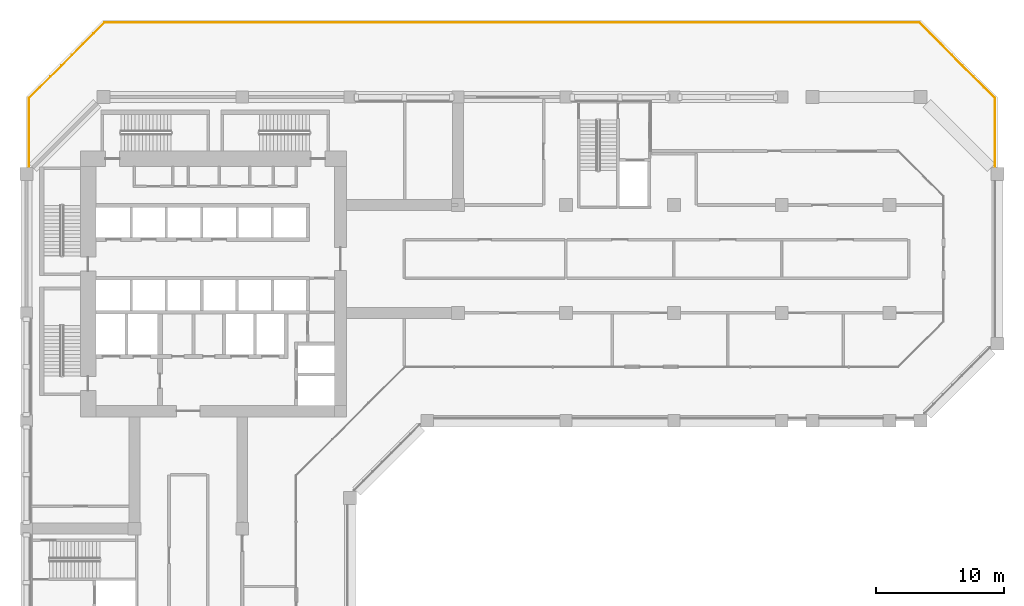
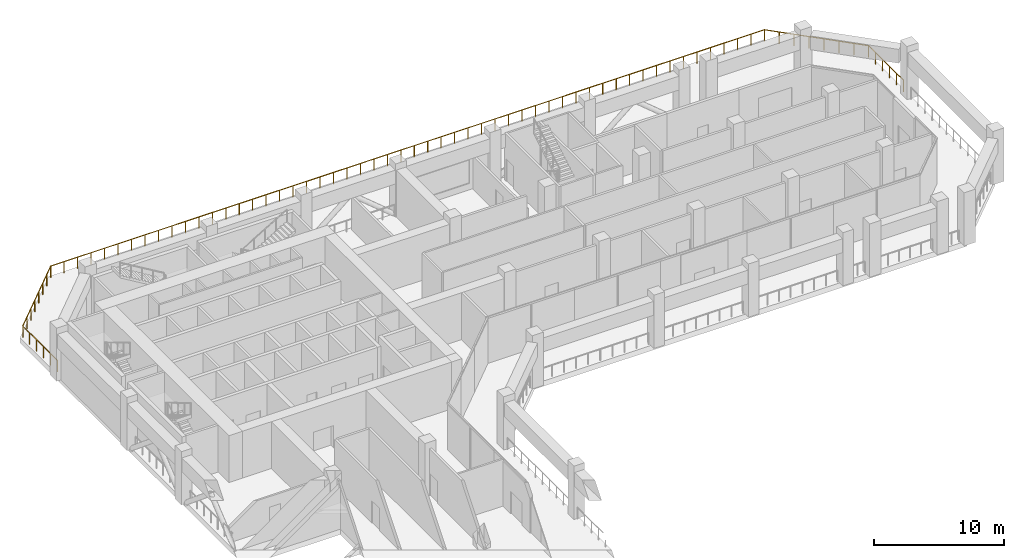
# One storey, part 17 of 19: 1 railing.
"""IFC4 building model written with IfcOpenShell, lengths in metres."""

from ifc_helpers import new_model, si_unit, direction, frame, origin, origin_2d, place, context, subcontext, project, spatial, circle, extrude, material, type_object, element, save


model = new_model("IFC4")

# Units and contexts
model_context = context("Model", 3, precision=1e-05, world=origin(), true_north=direction((0.0, 1.0)))
body_context = subcontext(model_context, "Body", "Model", "MODEL_VIEW")
ifc_project = project(units=[si_unit("LENGTHUNIT", "METRE"), si_unit("AREAUNIT", "SQUARE_METRE"), si_unit("VOLUMEUNIT", "CUBIC_METRE"), si_unit("PLANEANGLEUNIT", "RADIAN"), si_unit("MASSUNIT", "GRAM", prefix="KILO")], contexts=[model_context])

# Site, building, storey
site_placement = place(None, origin())
site = spatial("IfcSite", under=ifc_project, at=site_placement, CompositionType="ELEMENT")
building_placement = place(site_placement, origin())
building = spatial("IfcBuilding", under=site, at=building_placement, Name="Kawkab Arch Medical Tower", CompositionType="ELEMENT")
storey_placement = place(building_placement, frame((0.0, 0.0, 153.39990234375)))
storey = spatial("IfcBuildingStorey", under=building, at=storey_placement, Name="L35", CompositionType="ELEMENT", Elevation=153.39990234375)

# Railing
ifc_material = material(Name="Bronze anodised aluminium guard", Category="aluminium")
railing_type = type_object("IfcRailingType", Name="Loggia and terrace guard 1100", PredefinedType="GUARDRAIL", material=ifc_material)
railing_placement = place(storey_placement, frame((0.199951171875, -5.419921875, 0.0)))
element("IfcRailing", 1, at=railing_placement, inside=storey, type_object=railing_type, Name="Guard L35.REF-01.1.1", PredefinedType="GUARDRAIL", context=body_context, shape_type="SweptSolid", body=[
    extrude(circle(Radius=0.02392578125, at=origin_2d()), frame((0.0, 0.0, 1.076171875), z_axis=(0.0, 1.0, 0.0), x_axis=(-1.0, 0.0, 0.0)), (0.0, 0.0, 1.0), 5.3369140625),
    extrude(circle(Radius=0.02392578125, at=origin_2d()), frame((0.0, 5.3369140625, 1.076171875), z_axis=(0.707106781187, 0.707106781187, 0.0), x_axis=(-0.707106781187, 0.707106781187, 0.0)), (0.0, 0.0, 1.0), 8.318603515625),
    extrude(circle(Radius=0.02392578125, at=origin_2d()), frame((5.882080078125, 11.218994140625, 1.076171875), z_axis=(0.999999999882, 1.5394681e-05, 0.0), x_axis=(-1.5394681e-05, 0.999999999882, 0.0)), (0.0, 0.0, 1.0), 63.43505859375),
    extrude(circle(Radius=0.02392578125, at=origin_2d()), frame((69.317138671875, 11.219970703125, 1.076171875), z_axis=(0.707092103765, -0.707121458303, 0.0), x_axis=(0.707121458303, 0.707092103765, 0.0)), (0.0, 0.0, 1.0), 8.31689453125),
    extrude(circle(Radius=0.02392578125, at=origin_2d()), frame((75.197998046875, 5.3388671875, 1.076171875), z_axis=(0.000365831327, -0.999999933084, 0.0), x_axis=(0.999999933084, 0.000365831327, 0.0)), (0.0, 0.0, 1.0), 5.3388671875),
    extrude(circle(Radius=0.02099609375, at=origin_2d()), origin(), (0.0, 0.0, 1.0), 1.052001953125),
    extrude(circle(Radius=0.02099609375, at=origin_2d()), frame((0.0, 1.0673828125, 0.0)), (0.0, 0.0, 1.0), 1.052001953125),
    extrude(circle(Radius=0.02099609375, at=origin_2d()), frame((0.0, 2.134765625, 0.0)), (0.0, 0.0, 1.0), 1.052001953125),
    extrude(circle(Radius=0.02099609375, at=origin_2d()), frame((0.0, 3.2021484375, 0.0)), (0.0, 0.0, 1.0), 1.052001953125),
    extrude(circle(Radius=0.02099609375, at=origin_2d()), frame((0.0, 4.26953125, 0.0)), (0.0, 0.0, 1.0), 1.052001953125),
    extrude(circle(Radius=0.02099609375, at=origin_2d()), frame((0.0, 5.3369140625, 0.0)), (0.0, 0.0, 1.0), 1.052001953125),
    extrude(circle(Radius=0.02099609375, at=origin_2d()), frame((0.84033203125, 6.17724609375, 0.0)), (0.0, 0.0, 1.0), 1.052001953125),
    extrude(circle(Radius=0.02099609375, at=origin_2d()), frame((1.6806640625, 7.017578125, 0.0)), (0.0, 0.0, 1.0), 1.052001953125),
    extrude(circle(Radius=0.02099609375, at=origin_2d()), frame((2.52099609375, 7.85791015625, 0.0)), (0.0, 0.0, 1.0), 1.052001953125),
    extrude(circle(Radius=0.02099609375, at=origin_2d()), frame((3.361083984375, 8.697998046875, 0.0)), (0.0, 0.0, 1.0), 1.052001953125),
    extrude(circle(Radius=0.02099609375, at=origin_2d()), frame((4.201416015625, 9.538330078125, 0.0)), (0.0, 0.0, 1.0), 1.052001953125),
    extrude(circle(Radius=0.02099609375, at=origin_2d()), frame((5.041748046875, 10.378662109375, 0.0)), (0.0, 0.0, 1.0), 1.052001953125),
    extrude(circle(Radius=0.02099609375, at=origin_2d()), frame((5.882080078125, 11.218994140625, 0.0)), (0.0, 0.0, 1.0), 1.052001953125),
    extrude(circle(Radius=0.02099609375, at=origin_2d()), frame((7.078857421875, 11.218994140625, 0.0)), (0.0, 0.0, 1.0), 1.052001953125),
    extrude(circle(Radius=0.02099609375, at=origin_2d()), frame((8.27587890625, 11.218994140625, 0.0)), (0.0, 0.0, 1.0), 1.052001953125),
    extrude(circle(Radius=0.02099609375, at=origin_2d()), frame((9.47265625, 11.218994140625, 0.0)), (0.0, 0.0, 1.0), 1.052001953125),
    extrude(circle(Radius=0.02099609375, at=origin_2d()), frame((10.669677734375, 11.218994140625, 0.0)), (0.0, 0.0, 1.0), 1.052001953125),
    extrude(circle(Radius=0.02099609375, at=origin_2d()), frame((11.866455078125, 11.218994140625, 0.0)), (0.0, 0.0, 1.0), 1.052001953125),
    extrude(circle(Radius=0.02099609375, at=origin_2d()), frame((13.0634765625, 11.218994140625, 0.0)), (0.0, 0.0, 1.0), 1.052001953125),
    extrude(circle(Radius=0.02099609375, at=origin_2d()), frame((14.26025390625, 11.21923828125, 0.0)), (0.0, 0.0, 1.0), 1.052001953125),
    extrude(circle(Radius=0.02099609375, at=origin_2d()), frame((15.457275390625, 11.21923828125, 0.0)), (0.0, 0.0, 1.0), 1.052001953125),
    extrude(circle(Radius=0.02099609375, at=origin_2d()), frame((16.654052734375, 11.21923828125, 0.0)), (0.0, 0.0, 1.0), 1.052001953125),
    extrude(circle(Radius=0.02099609375, at=origin_2d()), frame((17.85107421875, 11.21923828125, 0.0)), (0.0, 0.0, 1.0), 1.052001953125),
    extrude(circle(Radius=0.02099609375, at=origin_2d()), frame((19.0478515625, 11.21923828125, 0.0)), (0.0, 0.0, 1.0), 1.052001953125),
    extrude(circle(Radius=0.02099609375, at=origin_2d()), frame((20.24462890625, 11.21923828125, 0.0)), (0.0, 0.0, 1.0), 1.052001953125),
    extrude(circle(Radius=0.02099609375, at=origin_2d()), frame((21.441650390625, 11.21923828125, 0.0)), (0.0, 0.0, 1.0), 1.052001953125),
    extrude(circle(Radius=0.02099609375, at=origin_2d()), frame((22.638427734375, 11.21923828125, 0.0)), (0.0, 0.0, 1.0), 1.052001953125),
    extrude(circle(Radius=0.02099609375, at=origin_2d()), frame((23.83544921875, 11.21923828125, 0.0)), (0.0, 0.0, 1.0), 1.052001953125),
    extrude(circle(Radius=0.02099609375, at=origin_2d()), frame((25.0322265625, 11.21923828125, 0.0)), (0.0, 0.0, 1.0), 1.052001953125),
    extrude(circle(Radius=0.02099609375, at=origin_2d()), frame((26.229248046875, 11.21923828125, 0.0)), (0.0, 0.0, 1.0), 1.052001953125),
    extrude(circle(Radius=0.02099609375, at=origin_2d()), frame((27.426025390625, 11.21923828125, 0.0)), (0.0, 0.0, 1.0), 1.052001953125),
    extrude(circle(Radius=0.02099609375, at=origin_2d()), frame((28.623046875, 11.21923828125, 0.0)), (0.0, 0.0, 1.0), 1.052001953125),
    extrude(circle(Radius=0.02099609375, at=origin_2d()), frame((29.81982421875, 11.219482421875, 0.0)), (0.0, 0.0, 1.0), 1.052001953125),
    extrude(circle(Radius=0.02099609375, at=origin_2d()), frame((31.016845703125, 11.219482421875, 0.0)), (0.0, 0.0, 1.0), 1.052001953125),
    extrude(circle(Radius=0.02099609375, at=origin_2d()), frame((32.213623046875, 11.219482421875, 0.0)), (0.0, 0.0, 1.0), 1.052001953125),
    extrude(circle(Radius=0.02099609375, at=origin_2d()), frame((33.410400390625, 11.219482421875, 0.0)), (0.0, 0.0, 1.0), 1.052001953125),
    extrude(circle(Radius=0.02099609375, at=origin_2d()), frame((34.607421875, 11.219482421875, 0.0)), (0.0, 0.0, 1.0), 1.052001953125),
    extrude(circle(Radius=0.02099609375, at=origin_2d()), frame((35.80419921875, 11.219482421875, 0.0)), (0.0, 0.0, 1.0), 1.052001953125),
    extrude(circle(Radius=0.02099609375, at=origin_2d()), frame((37.001220703125, 11.219482421875, 0.0)), (0.0, 0.0, 1.0), 1.052001953125),
    extrude(circle(Radius=0.02099609375, at=origin_2d()), frame((38.197998046875, 11.219482421875, 0.0)), (0.0, 0.0, 1.0), 1.052001953125),
    extrude(circle(Radius=0.02099609375, at=origin_2d()), frame((39.39501953125, 11.219482421875, 0.0)), (0.0, 0.0, 1.0), 1.052001953125),
    extrude(circle(Radius=0.02099609375, at=origin_2d()), frame((40.591796875, 11.219482421875, 0.0)), (0.0, 0.0, 1.0), 1.052001953125),
    extrude(circle(Radius=0.02099609375, at=origin_2d()), frame((41.788818359375, 11.219482421875, 0.0)), (0.0, 0.0, 1.0), 1.052001953125),
    extrude(circle(Radius=0.02099609375, at=origin_2d()), frame((42.985595703125, 11.219482421875, 0.0)), (0.0, 0.0, 1.0), 1.052001953125),
    extrude(circle(Radius=0.02099609375, at=origin_2d()), frame((44.182373046875, 11.219482421875, 0.0)), (0.0, 0.0, 1.0), 1.052001953125),
    extrude(circle(Radius=0.02099609375, at=origin_2d()), frame((45.37939453125, 11.219482421875, 0.0)), (0.0, 0.0, 1.0), 1.052001953125),
    extrude(circle(Radius=0.02099609375, at=origin_2d()), frame((46.576171875, 11.2197265625, 0.0)), (0.0, 0.0, 1.0), 1.052001953125),
    extrude(circle(Radius=0.02099609375, at=origin_2d()), frame((47.773193359375, 11.2197265625, 0.0)), (0.0, 0.0, 1.0), 1.052001953125),
    extrude(circle(Radius=0.02099609375, at=origin_2d()), frame((48.969970703125, 11.2197265625, 0.0)), (0.0, 0.0, 1.0), 1.052001953125),
    extrude(circle(Radius=0.02099609375, at=origin_2d()), frame((50.1669921875, 11.2197265625, 0.0)), (0.0, 0.0, 1.0), 1.052001953125),
    extrude(circle(Radius=0.02099609375, at=origin_2d()), frame((51.36376953125, 11.2197265625, 0.0)), (0.0, 0.0, 1.0), 1.052001953125),
    extrude(circle(Radius=0.02099609375, at=origin_2d()), frame((52.560791015625, 11.2197265625, 0.0)), (0.0, 0.0, 1.0), 1.052001953125),
    extrude(circle(Radius=0.02099609375, at=origin_2d()), frame((53.757568359375, 11.2197265625, 0.0)), (0.0, 0.0, 1.0), 1.052001953125),
    extrude(circle(Radius=0.02099609375, at=origin_2d()), frame((54.95458984375, 11.2197265625, 0.0)), (0.0, 0.0, 1.0), 1.052001953125),
    extrude(circle(Radius=0.02099609375, at=origin_2d()), frame((56.1513671875, 11.2197265625, 0.0)), (0.0, 0.0, 1.0), 1.052001953125),
    extrude(circle(Radius=0.02099609375, at=origin_2d()), frame((57.34814453125, 11.2197265625, 0.0)), (0.0, 0.0, 1.0), 1.052001953125),
    extrude(circle(Radius=0.02099609375, at=origin_2d()), frame((58.545166015625, 11.2197265625, 0.0)), (0.0, 0.0, 1.0), 1.052001953125),
    extrude(circle(Radius=0.02099609375, at=origin_2d()), frame((59.741943359375, 11.2197265625, 0.0)), (0.0, 0.0, 1.0), 1.052001953125),
    extrude(circle(Radius=0.02099609375, at=origin_2d()), frame((60.93896484375, 11.2197265625, 0.0)), (0.0, 0.0, 1.0), 1.052001953125),
    extrude(circle(Radius=0.02099609375, at=origin_2d()), frame((62.1357421875, 11.219970703125, 0.0)), (0.0, 0.0, 1.0), 1.052001953125),
    extrude(circle(Radius=0.02099609375, at=origin_2d()), frame((63.332763671875, 11.219970703125, 0.0)), (0.0, 0.0, 1.0), 1.052001953125),
    extrude(circle(Radius=0.02099609375, at=origin_2d()), frame((64.529541015625, 11.219970703125, 0.0)), (0.0, 0.0, 1.0), 1.052001953125),
    extrude(circle(Radius=0.02099609375, at=origin_2d()), frame((65.7265625, 11.219970703125, 0.0)), (0.0, 0.0, 1.0), 1.052001953125),
    extrude(circle(Radius=0.02099609375, at=origin_2d()), frame((66.92333984375, 11.219970703125, 0.0)), (0.0, 0.0, 1.0), 1.052001953125),
    extrude(circle(Radius=0.02099609375, at=origin_2d()), frame((68.120361328125, 11.219970703125, 0.0)), (0.0, 0.0, 1.0), 1.052001953125),
    extrude(circle(Radius=0.02099609375, at=origin_2d()), frame((69.317138671875, 11.219970703125, 0.0)), (0.0, 0.0, 1.0), 1.052001953125),
    extrude(circle(Radius=0.02099609375, at=origin_2d()), frame((70.1572265625, 10.3798828125, 0.0)), (0.0, 0.0, 1.0), 1.052001953125),
    extrude(circle(Radius=0.02099609375, at=origin_2d()), frame((70.997314453125, 9.53955078125, 0.0)), (0.0, 0.0, 1.0), 1.052001953125),
    extrude(circle(Radius=0.02099609375, at=origin_2d()), frame((71.83740234375, 8.699462890625, 0.0)), (0.0, 0.0, 1.0), 1.052001953125),
    extrude(circle(Radius=0.02099609375, at=origin_2d()), frame((72.677734375, 7.859375, 0.0)), (0.0, 0.0, 1.0), 1.052001953125),
    extrude(circle(Radius=0.02099609375, at=origin_2d()), frame((73.517822265625, 7.019287109375, 0.0)), (0.0, 0.0, 1.0), 1.052001953125),
    extrude(circle(Radius=0.02099609375, at=origin_2d()), frame((74.35791015625, 6.178955078125, 0.0)), (0.0, 0.0, 1.0), 1.052001953125),
    extrude(circle(Radius=0.02099609375, at=origin_2d()), frame((75.197998046875, 5.3388671875, 0.0)), (0.0, 0.0, 1.0), 1.052001953125),
    extrude(circle(Radius=0.02099609375, at=origin_2d()), frame((75.198486328125, 4.27099609375, 0.0)), (0.0, 0.0, 1.0), 1.052001953125),
    extrude(circle(Radius=0.02099609375, at=origin_2d()), frame((75.19873046875, 3.203369140625, 0.0)), (0.0, 0.0, 1.0), 1.052001953125),
    extrude(circle(Radius=0.02099609375, at=origin_2d()), frame((75.19921875, 2.135498046875, 0.0)), (0.0, 0.0, 1.0), 1.052001953125),
    extrude(circle(Radius=0.02099609375, at=origin_2d()), frame((75.199462890625, 1.06787109375, 0.0)), (0.0, 0.0, 1.0), 1.052001953125),
    extrude(circle(Radius=0.02099609375, at=origin_2d()), frame((75.199951171875, 0.0, 0.0)), (0.0, 0.0, 1.0), 1.052001953125),
])

save(model, "model.ifc")
